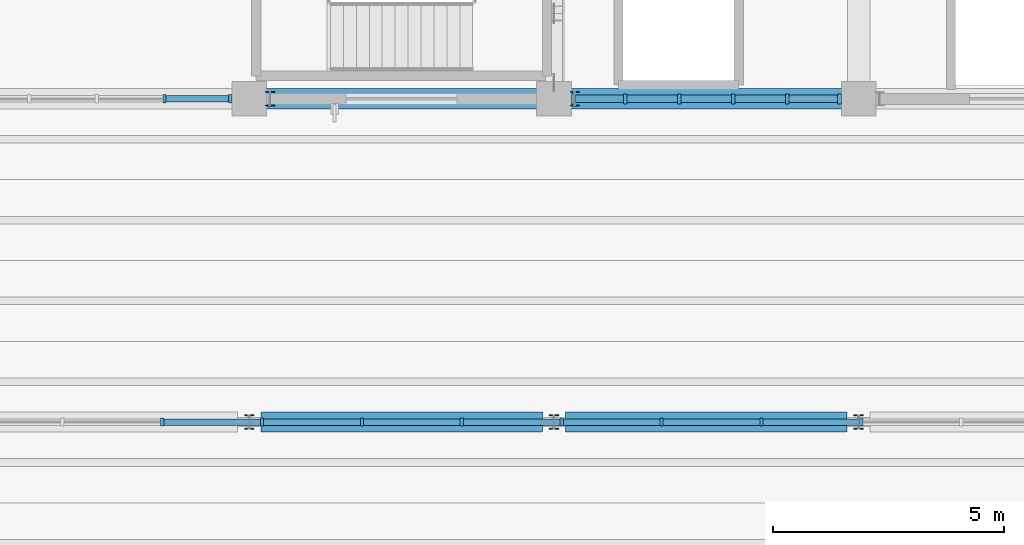
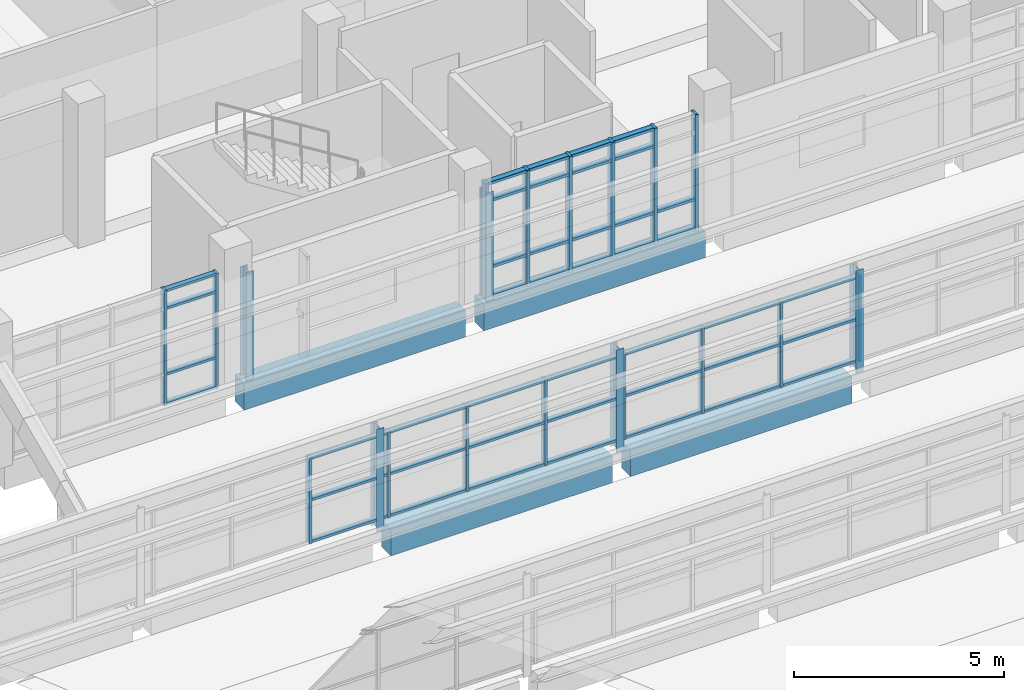
# One storey, part 47 of 92: 64 members, 4 beams, 3 elements without a shape of their own.
"""IFC4 building model written with IfcOpenShell, lengths in metres."""

from ifc_helpers import new_model, si_unit, direction, frame, origin, origin_2d, place, context, subcontext, project, spatial, rectangle, i_section, extrude, material, material_profile, profile_set, type_object, element, aggregate, save


model = new_model("IFC4")

# Units and contexts
model_context = context("Model", 3, precision=1e-05, world=origin(), true_north=direction((0.0, 1.0)))
body_context = subcontext(model_context, "Body", "Model", "MODEL_VIEW")
ifc_project = project(units=[si_unit("LENGTHUNIT", "METRE"), si_unit("AREAUNIT", "SQUARE_METRE"), si_unit("VOLUMEUNIT", "CUBIC_METRE"), si_unit("PLANEANGLEUNIT", "RADIAN"), si_unit("MASSUNIT", "GRAM", prefix="KILO")], contexts=[model_context])

# Site, building, storey
site_placement = place(None, origin())
site = spatial("IfcSite", under=ifc_project, at=site_placement, CompositionType="ELEMENT")
building_placement = place(site_placement, origin())
building = spatial("IfcBuilding", under=site, at=building_placement, Name="Ciguamira Faculty of Natural Sciences", CompositionType="ELEMENT")
storey_placement = place(building_placement, frame((0.0, 0.0, 16.800048828125)))
storey = spatial("IfcBuildingStorey", under=building, at=storey_placement, Name="L04", CompositionType="ELEMENT", Elevation=16.800048828125)

# Curtain wall, members
ifc_material_1 = material(Name="Anodized aluminium curtain wall", Category="aluminium")
curtain_wall_type_1 = type_object("IfcCurtainWallType", Name="CurtainWall_CW-02", PredefinedType="USERDEFINED", material=ifc_material_1)
curtain_wall_1_placement = place(storey_placement, origin())
curtain_wall_1 = element("IfcCurtainWall", 1, at=curtain_wall_1_placement, inside=storey, type_object=curtain_wall_type_1, Name="L04 unitised curtain wall 0122", ObjectType="UNITISED CURTAIN WALL", PredefinedType="USERDEFINED")
ifc_material_2 = material(Name="Anodized aluminium mullion", Category="aluminium")
ifc_material_profile_1 = material_profile(ifc_material_2, rectangle(XDim=0.070068359375, YDim=0.179931640625, at=origin_2d()), Name="ALU-MUL-70X180")
ifc_profile_set_1 = profile_set([ifc_material_profile_1], Name="Anodized aluminium mullion")
member_type_1 = type_object("IfcMemberType", Name="CWMullion_CWM-02", PredefinedType="MULLION", material=ifc_profile_set_1)
member_1_placement = place(storey_placement, frame((68.66259765625, 94.0, 0.0), z_axis=(0.0, 0.0, 1.0), x_axis=(1.0, 0.0, 0.0)))
member_1 = element("IfcMember", 2, at=member_1_placement, type_object=member_type_1, Name="CW-02 mullion 4", PredefinedType="MULLION", context=body_context, shape_type="SweptSolid", body=[
    extrude(rectangle(XDim=0.070068359375, YDim=0.179931640625, at=origin_2d()), origin(), (0.0, 0.0, 1.0), 3.364990234375),
])
member_2_placement = place(storey_placement, frame((70.090087890625, 94.0, 0.0), z_axis=(0.0, 0.0, 1.0), x_axis=(1.0, 0.0, 0.0)))
member_2 = element("IfcMember", 3, at=member_2_placement, type_object=member_type_1, Name="CW-02 mullion 5", PredefinedType="MULLION", context=body_context, shape_type="SweptSolid", body=[
    extrude(rectangle(XDim=0.070068359375, YDim=0.179931640625, at=origin_2d()), origin(), (0.0, 0.0, 1.0), 3.364990234375),
])

curtain_wall_type_2 = type_object("IfcCurtainWallType", Name="CurtainWall_CW-08", PredefinedType="USERDEFINED", material=ifc_material_1)
curtain_wall_2_placement = place(storey_placement, origin())
curtain_wall_2 = element("IfcCurtainWall", 4, at=curtain_wall_2_placement, inside=storey, type_object=curtain_wall_type_2, Name="V4 north-light wave 6 clerestory glazing 1", ObjectType="UNITISED CURTAIN WALL", PredefinedType="USERDEFINED")
member_3_placement = place(storey_placement, frame((68.61474609375, 87.0, 0.25), z_axis=(0.0, 0.0, 1.0), x_axis=(1.0, 0.0, 0.0)))
member_3 = element("IfcMember", 5, at=member_3_placement, type_object=member_type_1, Name="CW-08 mullion 6", PredefinedType="MULLION", context=body_context, shape_type="SweptSolid", body=[
    extrude(rectangle(XDim=0.070068359375, YDim=0.179931640625, at=origin_2d()), origin(), (0.0, 0.0, 1.0), 2.5),
])
member_4_placement = place(storey_placement, frame((70.77783203125, 87.0, 0.25), z_axis=(0.0, 0.0, 1.0), x_axis=(1.0, 0.0, 0.0)))
member_4 = element("IfcMember", 6, at=member_4_placement, type_object=member_type_1, Name="CW-08 mullion 7", PredefinedType="MULLION", context=body_context, shape_type="SweptSolid", body=[
    extrude(rectangle(XDim=0.070068359375, YDim=0.179931640625, at=origin_2d()), origin(), (0.0, 0.0, 1.0), 2.5),
])
member_5_placement = place(storey_placement, frame((72.940673828125, 87.0, 0.25), z_axis=(0.0, 0.0, 1.0), x_axis=(1.0, 0.0, 0.0)))
member_5 = element("IfcMember", 7, at=member_5_placement, type_object=member_type_1, Name="CW-08 mullion 8", PredefinedType="MULLION", context=body_context, shape_type="SweptSolid", body=[
    extrude(rectangle(XDim=0.070068359375, YDim=0.179931640625, at=origin_2d()), origin(), (0.0, 0.0, 1.0), 2.5),
])
member_6_placement = place(storey_placement, frame((75.103759765625, 87.0, 0.25), z_axis=(0.0, 0.0, 1.0), x_axis=(1.0, 0.0, 0.0)))
member_6 = element("IfcMember", 8, at=member_6_placement, type_object=member_type_1, Name="CW-08 mullion 9", PredefinedType="MULLION", context=body_context, shape_type="SweptSolid", body=[
    extrude(rectangle(XDim=0.070068359375, YDim=0.179931640625, at=origin_2d()), origin(), (0.0, 0.0, 1.0), 2.5),
])
member_7_placement = place(storey_placement, frame((77.2666015625, 87.0, 0.25), z_axis=(0.0, 0.0, 1.0), x_axis=(1.0, 0.0, 0.0)))
member_7 = element("IfcMember", 9, at=member_7_placement, type_object=member_type_1, Name="CW-08 mullion 10", PredefinedType="MULLION", context=body_context, shape_type="SweptSolid", body=[
    extrude(rectangle(XDim=0.070068359375, YDim=0.179931640625, at=origin_2d()), origin(), (0.0, 0.0, 1.0), 2.5),
])
member_8_placement = place(storey_placement, frame((79.4296875, 87.0, 0.25), z_axis=(0.0, 0.0, 1.0), x_axis=(1.0, 0.0, 0.0)))
member_8 = element("IfcMember", 10, at=member_8_placement, type_object=member_type_1, Name="CW-08 mullion 11", PredefinedType="MULLION", context=body_context, shape_type="SweptSolid", body=[
    extrude(rectangle(XDim=0.070068359375, YDim=0.179931640625, at=origin_2d()), origin(), (0.0, 0.0, 1.0), 2.5),
])
member_9_placement = place(storey_placement, frame((81.592529296875, 87.0, 0.25), z_axis=(0.0, 0.0, 1.0), x_axis=(1.0, 0.0, 0.0)))
member_9 = element("IfcMember", 11, at=member_9_placement, type_object=member_type_1, Name="CW-08 mullion 12", PredefinedType="MULLION", context=body_context, shape_type="SweptSolid", body=[
    extrude(rectangle(XDim=0.070068359375, YDim=0.179931640625, at=origin_2d()), origin(), (0.0, 0.0, 1.0), 2.5),
])
member_10_placement = place(storey_placement, frame((83.755615234375, 87.0, 0.25), z_axis=(0.0, 0.0, 1.0), x_axis=(1.0, 0.0, 0.0)))
member_10 = element("IfcMember", 12, at=member_10_placement, type_object=member_type_1, Name="CW-08 mullion 13", PredefinedType="MULLION", context=body_context, shape_type="SweptSolid", body=[
    extrude(rectangle(XDim=0.070068359375, YDim=0.179931640625, at=origin_2d()), origin(), (0.0, 0.0, 1.0), 2.5),
])

curtain_wall_type_3 = type_object("IfcCurtainWallType", Name="CurtainWall_CW-03", PredefinedType="USERDEFINED", material=ifc_material_1)
curtain_wall_3_placement = place(storey_placement, origin())
curtain_wall_3 = element("IfcCurtainWall", 13, at=curtain_wall_3_placement, inside=storey, type_object=curtain_wall_type_3, Name="L04 unitised curtain wall 0123", ObjectType="UNITISED CURTAIN WALL", PredefinedType="USERDEFINED")
ifc_material_profile_2 = material_profile(ifc_material_2, rectangle(XDim=0.080078125, YDim=0.219970703125, at=origin_2d()), Name="ALU-MUL-80X220")
ifc_profile_set_2 = profile_set([ifc_material_profile_2], Name="Anodized aluminium mullion")
member_type_2 = type_object("IfcMemberType", Name="CWMullion_CWM-03", PredefinedType="MULLION", material=ifc_profile_set_2)
member_11_placement = place(storey_placement, frame((77.514892578125, 94.0, 0.0), z_axis=(0.0, 0.0, 1.0), x_axis=(1.0, 0.0, 0.0)))
member_11 = element("IfcMember", 14, at=member_11_placement, type_object=member_type_2, Name="CW-03 mullion 1", PredefinedType="MULLION", context=body_context, shape_type="SweptSolid", body=[
    extrude(rectangle(XDim=0.080078125, YDim=0.219970703125, at=origin_2d()), origin(), (0.0, 0.0, 1.0), 3.385009765625),
])
member_12_placement = place(storey_placement, frame((78.64501953125, 94.0, 0.0), z_axis=(0.0, 0.0, 1.0), x_axis=(1.0, 0.0, 0.0)))
member_12 = element("IfcMember", 15, at=member_12_placement, type_object=member_type_2, Name="CW-03 mullion 2", PredefinedType="MULLION", context=body_context, shape_type="SweptSolid", body=[
    extrude(rectangle(XDim=0.080078125, YDim=0.219970703125, at=origin_2d()), origin(), (0.0, 0.0, 1.0), 3.385009765625),
])
member_13_placement = place(storey_placement, frame((79.81494140625, 94.0, 0.0), z_axis=(0.0, 0.0, 1.0), x_axis=(1.0, 0.0, 0.0)))
member_13 = element("IfcMember", 16, at=member_13_placement, type_object=member_type_2, Name="CW-03 mullion 3", PredefinedType="MULLION", context=body_context, shape_type="SweptSolid", body=[
    extrude(rectangle(XDim=0.080078125, YDim=0.219970703125, at=origin_2d()), origin(), (0.0, 0.0, 1.0), 3.385009765625),
])
member_14_placement = place(storey_placement, frame((80.985107421875, 94.0, 0.0), z_axis=(0.0, 0.0, 1.0), x_axis=(1.0, 0.0, 0.0)))
member_14 = element("IfcMember", 17, at=member_14_placement, type_object=member_type_2, Name="CW-03 mullion 4", PredefinedType="MULLION", context=body_context, shape_type="SweptSolid", body=[
    extrude(rectangle(XDim=0.080078125, YDim=0.219970703125, at=origin_2d()), origin(), (0.0, 0.0, 1.0), 3.385009765625),
])
member_15_placement = place(storey_placement, frame((82.155029296875, 94.0, 0.0), z_axis=(0.0, 0.0, 1.0), x_axis=(1.0, 0.0, 0.0)))
member_15 = element("IfcMember", 18, at=member_15_placement, type_object=member_type_2, Name="CW-03 mullion 5", PredefinedType="MULLION", context=body_context, shape_type="SweptSolid", body=[
    extrude(rectangle(XDim=0.080078125, YDim=0.219970703125, at=origin_2d()), origin(), (0.0, 0.0, 1.0), 3.385009765625),
])
member_16_placement = place(storey_placement, frame((83.284912109375, 94.0, 0.0), z_axis=(0.0, 0.0, 1.0), x_axis=(1.0, 0.0, 0.0)))
member_16 = element("IfcMember", 19, at=member_16_placement, type_object=member_type_2, Name="CW-03 mullion 6", PredefinedType="MULLION", context=body_context, shape_type="SweptSolid", body=[
    extrude(rectangle(XDim=0.080078125, YDim=0.219970703125, at=origin_2d()), origin(), (0.0, 0.0, 1.0), 3.385009765625),
])

# Member
ifc_material_3 = material(Name="Anodized aluminium transom", Category="aluminium")
ifc_material_profile_3 = material_profile(ifc_material_3, rectangle(XDim=0.070068359375, YDim=0.139892578125, at=origin_2d()), Name="ALU-TRN-70X140")
ifc_profile_set_3 = profile_set([ifc_material_profile_3], Name="Anodized aluminium transom")
member_type_3 = type_object("IfcMemberType", Name="CWTransom_CWT-02", PredefinedType="USERDEFINED", material=ifc_profile_set_3)
member_17_placement = place(storey_placement, frame((68.697509765625, 94.0, 0.034912109375), z_axis=(1.0, 0.0, 0.0), x_axis=(0.0, 0.0, 1.0)))
member_17 = element("IfcMember", 20, at=member_17_placement, type_object=member_type_3, Name="CW-02 transom 4.1", ObjectType="TRANSOM", PredefinedType="USERDEFINED", context=body_context, shape_type="SweptSolid", body=[
    extrude(rectangle(XDim=0.070068359375, YDim=0.139892578125, at=origin_2d()), origin(), (0.0, 0.0, 1.0), 1.357421875),
])

member_18_placement = place(storey_placement, frame((68.697509765625, 94.0, 0.89990234375), z_axis=(1.0, 0.0, 0.0), x_axis=(0.0, 0.0, 1.0)))
member_18 = element("IfcMember", 21, at=member_18_placement, type_object=member_type_3, Name="CW-02 transom 4.2", ObjectType="TRANSOM", PredefinedType="USERDEFINED", context=body_context, shape_type="SweptSolid", body=[
    extrude(rectangle(XDim=0.070068359375, YDim=0.139892578125, at=origin_2d()), origin(), (0.0, 0.0, 1.0), 1.357421875),
])

member_19_placement = place(storey_placement, frame((68.697509765625, 94.0, 2.81494140625), z_axis=(1.0, 0.0, 0.0), x_axis=(0.0, 0.0, 1.0)))
member_19 = element("IfcMember", 22, at=member_19_placement, type_object=member_type_3, Name="CW-02 transom 4.3", ObjectType="TRANSOM", PredefinedType="USERDEFINED", context=body_context, shape_type="SweptSolid", body=[
    extrude(rectangle(XDim=0.070068359375, YDim=0.139892578125, at=origin_2d()), origin(), (0.0, 0.0, 1.0), 1.357421875),
])

member_20_placement = place(storey_placement, frame((68.697509765625, 94.0, 3.329833984375), z_axis=(1.0, 0.0, 0.0), x_axis=(0.0, 0.0, 1.0)))
member_20 = element("IfcMember", 23, at=member_20_placement, type_object=member_type_3, Name="CW-02 transom 4.4", ObjectType="TRANSOM", PredefinedType="USERDEFINED", context=body_context, shape_type="SweptSolid", body=[
    extrude(rectangle(XDim=0.070068359375, YDim=0.139892578125, at=origin_2d()), origin(), (0.0, 0.0, 1.0), 1.357421875),
])

aggregate(curtain_wall_1, [member_1, member_2, member_17, member_18, member_19, member_20])

member_21_placement = place(storey_placement, frame((68.64990234375, 87.0, 0.284912109375), z_axis=(1.0, 0.0, 0.0), x_axis=(0.0, 0.0, 1.0)))
member_21 = element("IfcMember", 24, at=member_21_placement, type_object=member_type_3, Name="CW-08 transom 6.1", ObjectType="TRANSOM", PredefinedType="USERDEFINED", context=body_context, shape_type="SweptSolid", body=[
    extrude(rectangle(XDim=0.070068359375, YDim=0.139892578125, at=origin_2d()), origin(), (0.0, 0.0, 1.0), 2.0927734375),
])

member_22_placement = place(storey_placement, frame((68.64990234375, 87.0, 1.5), z_axis=(1.0, 0.0, 0.0), x_axis=(0.0, 0.0, 1.0)))
member_22 = element("IfcMember", 25, at=member_22_placement, type_object=member_type_3, Name="CW-08 transom 6.2", ObjectType="TRANSOM", PredefinedType="USERDEFINED", context=body_context, shape_type="SweptSolid", body=[
    extrude(rectangle(XDim=0.070068359375, YDim=0.139892578125, at=origin_2d()), origin(), (0.0, 0.0, 1.0), 2.0927734375),
])

member_23_placement = place(storey_placement, frame((68.64990234375, 87.0, 2.71484375), z_axis=(1.0, 0.0, 0.0), x_axis=(0.0, 0.0, 1.0)))
member_23 = element("IfcMember", 26, at=member_23_placement, type_object=member_type_3, Name="CW-08 transom 6.3", ObjectType="TRANSOM", PredefinedType="USERDEFINED", context=body_context, shape_type="SweptSolid", body=[
    extrude(rectangle(XDim=0.070068359375, YDim=0.139892578125, at=origin_2d()), origin(), (0.0, 0.0, 1.0), 2.0927734375),
])

member_24_placement = place(storey_placement, frame((70.812744140625, 87.0, 0.284912109375), z_axis=(1.0, 0.0, 0.0), x_axis=(0.0, 0.0, 1.0)))
member_24 = element("IfcMember", 27, at=member_24_placement, type_object=member_type_3, Name="CW-08 transom 7.1", ObjectType="TRANSOM", PredefinedType="USERDEFINED", context=body_context, shape_type="SweptSolid", body=[
    extrude(rectangle(XDim=0.070068359375, YDim=0.139892578125, at=origin_2d()), origin(), (0.0, 0.0, 1.0), 2.093017578125),
])

member_25_placement = place(storey_placement, frame((70.812744140625, 87.0, 1.5), z_axis=(1.0, 0.0, 0.0), x_axis=(0.0, 0.0, 1.0)))
member_25 = element("IfcMember", 28, at=member_25_placement, type_object=member_type_3, Name="CW-08 transom 7.2", ObjectType="TRANSOM", PredefinedType="USERDEFINED", context=body_context, shape_type="SweptSolid", body=[
    extrude(rectangle(XDim=0.070068359375, YDim=0.139892578125, at=origin_2d()), origin(), (0.0, 0.0, 1.0), 2.093017578125),
])

member_26_placement = place(storey_placement, frame((70.812744140625, 87.0, 2.71484375), z_axis=(1.0, 0.0, 0.0), x_axis=(0.0, 0.0, 1.0)))
member_26 = element("IfcMember", 29, at=member_26_placement, type_object=member_type_3, Name="CW-08 transom 7.3", ObjectType="TRANSOM", PredefinedType="USERDEFINED", context=body_context, shape_type="SweptSolid", body=[
    extrude(rectangle(XDim=0.070068359375, YDim=0.139892578125, at=origin_2d()), origin(), (0.0, 0.0, 1.0), 2.093017578125),
])

member_27_placement = place(storey_placement, frame((72.975830078125, 87.0, 0.284912109375), z_axis=(1.0, 0.0, 0.0), x_axis=(0.0, 0.0, 1.0)))
member_27 = element("IfcMember", 30, at=member_27_placement, type_object=member_type_3, Name="CW-08 transom 8.1", ObjectType="TRANSOM", PredefinedType="USERDEFINED", context=body_context, shape_type="SweptSolid", body=[
    extrude(rectangle(XDim=0.070068359375, YDim=0.139892578125, at=origin_2d()), origin(), (0.0, 0.0, 1.0), 2.0927734375),
])

member_28_placement = place(storey_placement, frame((72.975830078125, 87.0, 1.5), z_axis=(1.0, 0.0, 0.0), x_axis=(0.0, 0.0, 1.0)))
member_28 = element("IfcMember", 31, at=member_28_placement, type_object=member_type_3, Name="CW-08 transom 8.2", ObjectType="TRANSOM", PredefinedType="USERDEFINED", context=body_context, shape_type="SweptSolid", body=[
    extrude(rectangle(XDim=0.070068359375, YDim=0.139892578125, at=origin_2d()), origin(), (0.0, 0.0, 1.0), 2.0927734375),
])

member_29_placement = place(storey_placement, frame((72.975830078125, 87.0, 2.71484375), z_axis=(1.0, 0.0, 0.0), x_axis=(0.0, 0.0, 1.0)))
member_29 = element("IfcMember", 32, at=member_29_placement, type_object=member_type_3, Name="CW-08 transom 8.3", ObjectType="TRANSOM", PredefinedType="USERDEFINED", context=body_context, shape_type="SweptSolid", body=[
    extrude(rectangle(XDim=0.070068359375, YDim=0.139892578125, at=origin_2d()), origin(), (0.0, 0.0, 1.0), 2.0927734375),
])

member_30_placement = place(storey_placement, frame((75.138671875, 87.0, 0.284912109375), z_axis=(1.0, 0.0, 0.0), x_axis=(0.0, 0.0, 1.0)))
member_30 = element("IfcMember", 33, at=member_30_placement, type_object=member_type_3, Name="CW-08 transom 9.1", ObjectType="TRANSOM", PredefinedType="USERDEFINED", context=body_context, shape_type="SweptSolid", body=[
    extrude(rectangle(XDim=0.070068359375, YDim=0.139892578125, at=origin_2d()), origin(), (0.0, 0.0, 1.0), 2.093017578125),
])

member_31_placement = place(storey_placement, frame((75.138671875, 87.0, 1.5), z_axis=(1.0, 0.0, 0.0), x_axis=(0.0, 0.0, 1.0)))
member_31 = element("IfcMember", 34, at=member_31_placement, type_object=member_type_3, Name="CW-08 transom 9.2", ObjectType="TRANSOM", PredefinedType="USERDEFINED", context=body_context, shape_type="SweptSolid", body=[
    extrude(rectangle(XDim=0.070068359375, YDim=0.139892578125, at=origin_2d()), origin(), (0.0, 0.0, 1.0), 2.093017578125),
])

member_32_placement = place(storey_placement, frame((75.138671875, 87.0, 2.71484375), z_axis=(1.0, 0.0, 0.0), x_axis=(0.0, 0.0, 1.0)))
member_32 = element("IfcMember", 35, at=member_32_placement, type_object=member_type_3, Name="CW-08 transom 9.3", ObjectType="TRANSOM", PredefinedType="USERDEFINED", context=body_context, shape_type="SweptSolid", body=[
    extrude(rectangle(XDim=0.070068359375, YDim=0.139892578125, at=origin_2d()), origin(), (0.0, 0.0, 1.0), 2.093017578125),
])

member_33_placement = place(storey_placement, frame((77.3017578125, 87.0, 0.284912109375), z_axis=(1.0, 0.0, 0.0), x_axis=(0.0, 0.0, 1.0)))
member_33 = element("IfcMember", 36, at=member_33_placement, type_object=member_type_3, Name="CW-08 transom 10.1", ObjectType="TRANSOM", PredefinedType="USERDEFINED", context=body_context, shape_type="SweptSolid", body=[
    extrude(rectangle(XDim=0.070068359375, YDim=0.139892578125, at=origin_2d()), origin(), (0.0, 0.0, 1.0), 2.0927734375),
])

member_34_placement = place(storey_placement, frame((77.3017578125, 87.0, 1.5), z_axis=(1.0, 0.0, 0.0), x_axis=(0.0, 0.0, 1.0)))
member_34 = element("IfcMember", 37, at=member_34_placement, type_object=member_type_3, Name="CW-08 transom 10.2", ObjectType="TRANSOM", PredefinedType="USERDEFINED", context=body_context, shape_type="SweptSolid", body=[
    extrude(rectangle(XDim=0.070068359375, YDim=0.139892578125, at=origin_2d()), origin(), (0.0, 0.0, 1.0), 2.0927734375),
])

member_35_placement = place(storey_placement, frame((77.3017578125, 87.0, 2.71484375), z_axis=(1.0, 0.0, 0.0), x_axis=(0.0, 0.0, 1.0)))
member_35 = element("IfcMember", 38, at=member_35_placement, type_object=member_type_3, Name="CW-08 transom 10.3", ObjectType="TRANSOM", PredefinedType="USERDEFINED", context=body_context, shape_type="SweptSolid", body=[
    extrude(rectangle(XDim=0.070068359375, YDim=0.139892578125, at=origin_2d()), origin(), (0.0, 0.0, 1.0), 2.0927734375),
])

member_36_placement = place(storey_placement, frame((79.464599609375, 87.0, 0.284912109375), z_axis=(1.0, 0.0, 0.0), x_axis=(0.0, 0.0, 1.0)))
member_36 = element("IfcMember", 39, at=member_36_placement, type_object=member_type_3, Name="CW-08 transom 11.1", ObjectType="TRANSOM", PredefinedType="USERDEFINED", context=body_context, shape_type="SweptSolid", body=[
    extrude(rectangle(XDim=0.070068359375, YDim=0.139892578125, at=origin_2d()), origin(), (0.0, 0.0, 1.0), 2.093017578125),
])

member_37_placement = place(storey_placement, frame((79.464599609375, 87.0, 1.5), z_axis=(1.0, 0.0, 0.0), x_axis=(0.0, 0.0, 1.0)))
member_37 = element("IfcMember", 40, at=member_37_placement, type_object=member_type_3, Name="CW-08 transom 11.2", ObjectType="TRANSOM", PredefinedType="USERDEFINED", context=body_context, shape_type="SweptSolid", body=[
    extrude(rectangle(XDim=0.070068359375, YDim=0.139892578125, at=origin_2d()), origin(), (0.0, 0.0, 1.0), 2.093017578125),
])

member_38_placement = place(storey_placement, frame((79.464599609375, 87.0, 2.71484375), z_axis=(1.0, 0.0, 0.0), x_axis=(0.0, 0.0, 1.0)))
member_38 = element("IfcMember", 41, at=member_38_placement, type_object=member_type_3, Name="CW-08 transom 11.3", ObjectType="TRANSOM", PredefinedType="USERDEFINED", context=body_context, shape_type="SweptSolid", body=[
    extrude(rectangle(XDim=0.070068359375, YDim=0.139892578125, at=origin_2d()), origin(), (0.0, 0.0, 1.0), 2.093017578125),
])

member_39_placement = place(storey_placement, frame((81.627685546875, 87.0, 0.284912109375), z_axis=(1.0, 0.0, 0.0), x_axis=(0.0, 0.0, 1.0)))
member_39 = element("IfcMember", 42, at=member_39_placement, type_object=member_type_3, Name="CW-08 transom 12.1", ObjectType="TRANSOM", PredefinedType="USERDEFINED", context=body_context, shape_type="SweptSolid", body=[
    extrude(rectangle(XDim=0.070068359375, YDim=0.139892578125, at=origin_2d()), origin(), (0.0, 0.0, 1.0), 2.0927734375),
])

member_40_placement = place(storey_placement, frame((81.627685546875, 87.0, 1.5), z_axis=(1.0, 0.0, 0.0), x_axis=(0.0, 0.0, 1.0)))
member_40 = element("IfcMember", 43, at=member_40_placement, type_object=member_type_3, Name="CW-08 transom 12.2", ObjectType="TRANSOM", PredefinedType="USERDEFINED", context=body_context, shape_type="SweptSolid", body=[
    extrude(rectangle(XDim=0.070068359375, YDim=0.139892578125, at=origin_2d()), origin(), (0.0, 0.0, 1.0), 2.0927734375),
])

member_41_placement = place(storey_placement, frame((81.627685546875, 87.0, 2.71484375), z_axis=(1.0, 0.0, 0.0), x_axis=(0.0, 0.0, 1.0)))
member_41 = element("IfcMember", 44, at=member_41_placement, type_object=member_type_3, Name="CW-08 transom 12.3", ObjectType="TRANSOM", PredefinedType="USERDEFINED", context=body_context, shape_type="SweptSolid", body=[
    extrude(rectangle(XDim=0.070068359375, YDim=0.139892578125, at=origin_2d()), origin(), (0.0, 0.0, 1.0), 2.0927734375),
])

aggregate(curtain_wall_2, [member_3, member_4, member_5, member_6, member_7, member_8, member_9, member_10, member_21, member_22, member_23, member_24, member_25, member_26, member_27, member_28, member_29, member_30, member_31, member_32, member_33, member_34, member_35, member_36, member_37, member_38, member_39, member_40, member_41])

ifc_material_profile_4 = material_profile(ifc_material_3, rectangle(XDim=0.080078125, YDim=0.159912109375, at=origin_2d()), Name="ALU-TRN-80X160")
ifc_profile_set_4 = profile_set([ifc_material_profile_4], Name="Anodized aluminium transom")
member_type_4 = type_object("IfcMemberType", Name="CWTransom_CWT-03", PredefinedType="USERDEFINED", material=ifc_profile_set_4)
member_42_placement = place(storey_placement, frame((77.554931640625, 94.0, 0.0400390625), z_axis=(1.0, 0.0, 0.0), x_axis=(0.0, 0.0, 1.0)))
member_42 = element("IfcMember", 45, at=member_42_placement, type_object=member_type_4, Name="CW-03 transom 1.1", ObjectType="TRANSOM", PredefinedType="USERDEFINED", context=body_context, shape_type="SweptSolid", body=[
    extrude(rectangle(XDim=0.080078125, YDim=0.159912109375, at=origin_2d()), origin(), (0.0, 0.0, 1.0), 1.050048828125),
])

member_43_placement = place(storey_placement, frame((77.554931640625, 94.0, 0.89990234375), z_axis=(1.0, 0.0, 0.0), x_axis=(0.0, 0.0, 1.0)))
member_43 = element("IfcMember", 46, at=member_43_placement, type_object=member_type_4, Name="CW-03 transom 1.2", ObjectType="TRANSOM", PredefinedType="USERDEFINED", context=body_context, shape_type="SweptSolid", body=[
    extrude(rectangle(XDim=0.080078125, YDim=0.159912109375, at=origin_2d()), origin(), (0.0, 0.0, 1.0), 1.050048828125),
])

member_44_placement = place(storey_placement, frame((77.554931640625, 94.0, 2.8349609375), z_axis=(1.0, 0.0, 0.0), x_axis=(0.0, 0.0, 1.0)))
member_44 = element("IfcMember", 47, at=member_44_placement, type_object=member_type_4, Name="CW-03 transom 1.3", ObjectType="TRANSOM", PredefinedType="USERDEFINED", context=body_context, shape_type="SweptSolid", body=[
    extrude(rectangle(XDim=0.080078125, YDim=0.159912109375, at=origin_2d()), origin(), (0.0, 0.0, 1.0), 1.050048828125),
])

member_45_placement = place(storey_placement, frame((77.554931640625, 94.0, 3.344970703125), z_axis=(1.0, 0.0, 0.0), x_axis=(0.0, 0.0, 1.0)))
member_45 = element("IfcMember", 48, at=member_45_placement, type_object=member_type_4, Name="CW-03 transom 1.4", ObjectType="TRANSOM", PredefinedType="USERDEFINED", context=body_context, shape_type="SweptSolid", body=[
    extrude(rectangle(XDim=0.080078125, YDim=0.159912109375, at=origin_2d()), origin(), (0.0, 0.0, 1.0), 1.050048828125),
])

member_46_placement = place(storey_placement, frame((78.68505859375, 94.0, 0.0400390625), z_axis=(1.0, 0.0, 0.0), x_axis=(0.0, 0.0, 1.0)))
member_46 = element("IfcMember", 49, at=member_46_placement, type_object=member_type_4, Name="CW-03 transom 2.1", ObjectType="TRANSOM", PredefinedType="USERDEFINED", context=body_context, shape_type="SweptSolid", body=[
    extrude(rectangle(XDim=0.080078125, YDim=0.159912109375, at=origin_2d()), origin(), (0.0, 0.0, 1.0), 1.08984375),
])

member_47_placement = place(storey_placement, frame((78.68505859375, 94.0, 0.89990234375), z_axis=(1.0, 0.0, 0.0), x_axis=(0.0, 0.0, 1.0)))
member_47 = element("IfcMember", 50, at=member_47_placement, type_object=member_type_4, Name="CW-03 transom 2.2", ObjectType="TRANSOM", PredefinedType="USERDEFINED", context=body_context, shape_type="SweptSolid", body=[
    extrude(rectangle(XDim=0.080078125, YDim=0.159912109375, at=origin_2d()), origin(), (0.0, 0.0, 1.0), 1.08984375),
])

member_48_placement = place(storey_placement, frame((78.68505859375, 94.0, 2.8349609375), z_axis=(1.0, 0.0, 0.0), x_axis=(0.0, 0.0, 1.0)))
member_48 = element("IfcMember", 51, at=member_48_placement, type_object=member_type_4, Name="CW-03 transom 2.3", ObjectType="TRANSOM", PredefinedType="USERDEFINED", context=body_context, shape_type="SweptSolid", body=[
    extrude(rectangle(XDim=0.080078125, YDim=0.159912109375, at=origin_2d()), origin(), (0.0, 0.0, 1.0), 1.08984375),
])

member_49_placement = place(storey_placement, frame((78.68505859375, 94.0, 3.344970703125), z_axis=(1.0, 0.0, 0.0), x_axis=(0.0, 0.0, 1.0)))
member_49 = element("IfcMember", 52, at=member_49_placement, type_object=member_type_4, Name="CW-03 transom 2.4", ObjectType="TRANSOM", PredefinedType="USERDEFINED", context=body_context, shape_type="SweptSolid", body=[
    extrude(rectangle(XDim=0.080078125, YDim=0.159912109375, at=origin_2d()), origin(), (0.0, 0.0, 1.0), 1.08984375),
])

member_50_placement = place(storey_placement, frame((79.85498046875, 94.0, 0.0400390625), z_axis=(1.0, 0.0, 0.0), x_axis=(0.0, 0.0, 1.0)))
member_50 = element("IfcMember", 53, at=member_50_placement, type_object=member_type_4, Name="CW-03 transom 3.1", ObjectType="TRANSOM", PredefinedType="USERDEFINED", context=body_context, shape_type="SweptSolid", body=[
    extrude(rectangle(XDim=0.080078125, YDim=0.159912109375, at=origin_2d()), origin(), (0.0, 0.0, 1.0), 1.090087890625),
])

member_51_placement = place(storey_placement, frame((79.85498046875, 94.0, 0.89990234375), z_axis=(1.0, 0.0, 0.0), x_axis=(0.0, 0.0, 1.0)))
member_51 = element("IfcMember", 54, at=member_51_placement, type_object=member_type_4, Name="CW-03 transom 3.2", ObjectType="TRANSOM", PredefinedType="USERDEFINED", context=body_context, shape_type="SweptSolid", body=[
    extrude(rectangle(XDim=0.080078125, YDim=0.159912109375, at=origin_2d()), origin(), (0.0, 0.0, 1.0), 1.090087890625),
])

member_52_placement = place(storey_placement, frame((79.85498046875, 94.0, 2.8349609375), z_axis=(1.0, 0.0, 0.0), x_axis=(0.0, 0.0, 1.0)))
member_52 = element("IfcMember", 55, at=member_52_placement, type_object=member_type_4, Name="CW-03 transom 3.3", ObjectType="TRANSOM", PredefinedType="USERDEFINED", context=body_context, shape_type="SweptSolid", body=[
    extrude(rectangle(XDim=0.080078125, YDim=0.159912109375, at=origin_2d()), origin(), (0.0, 0.0, 1.0), 1.090087890625),
])

member_53_placement = place(storey_placement, frame((79.85498046875, 94.0, 3.344970703125), z_axis=(1.0, 0.0, 0.0), x_axis=(0.0, 0.0, 1.0)))
member_53 = element("IfcMember", 56, at=member_53_placement, type_object=member_type_4, Name="CW-03 transom 3.4", ObjectType="TRANSOM", PredefinedType="USERDEFINED", context=body_context, shape_type="SweptSolid", body=[
    extrude(rectangle(XDim=0.080078125, YDim=0.159912109375, at=origin_2d()), origin(), (0.0, 0.0, 1.0), 1.090087890625),
])

member_54_placement = place(storey_placement, frame((81.02490234375, 94.0, 0.0400390625), z_axis=(1.0, 0.0, 0.0), x_axis=(0.0, 0.0, 1.0)))
member_54 = element("IfcMember", 57, at=member_54_placement, type_object=member_type_4, Name="CW-03 transom 4.1", ObjectType="TRANSOM", PredefinedType="USERDEFINED", context=body_context, shape_type="SweptSolid", body=[
    extrude(rectangle(XDim=0.080078125, YDim=0.159912109375, at=origin_2d()), origin(), (0.0, 0.0, 1.0), 1.090087890625),
])

member_55_placement = place(storey_placement, frame((81.02490234375, 94.0, 0.89990234375), z_axis=(1.0, 0.0, 0.0), x_axis=(0.0, 0.0, 1.0)))
member_55 = element("IfcMember", 58, at=member_55_placement, type_object=member_type_4, Name="CW-03 transom 4.2", ObjectType="TRANSOM", PredefinedType="USERDEFINED", context=body_context, shape_type="SweptSolid", body=[
    extrude(rectangle(XDim=0.080078125, YDim=0.159912109375, at=origin_2d()), origin(), (0.0, 0.0, 1.0), 1.090087890625),
])

member_56_placement = place(storey_placement, frame((81.02490234375, 94.0, 2.8349609375), z_axis=(1.0, 0.0, 0.0), x_axis=(0.0, 0.0, 1.0)))
member_56 = element("IfcMember", 59, at=member_56_placement, type_object=member_type_4, Name="CW-03 transom 4.3", ObjectType="TRANSOM", PredefinedType="USERDEFINED", context=body_context, shape_type="SweptSolid", body=[
    extrude(rectangle(XDim=0.080078125, YDim=0.159912109375, at=origin_2d()), origin(), (0.0, 0.0, 1.0), 1.090087890625),
])

member_57_placement = place(storey_placement, frame((81.02490234375, 94.0, 3.344970703125), z_axis=(1.0, 0.0, 0.0), x_axis=(0.0, 0.0, 1.0)))
member_57 = element("IfcMember", 60, at=member_57_placement, type_object=member_type_4, Name="CW-03 transom 4.4", ObjectType="TRANSOM", PredefinedType="USERDEFINED", context=body_context, shape_type="SweptSolid", body=[
    extrude(rectangle(XDim=0.080078125, YDim=0.159912109375, at=origin_2d()), origin(), (0.0, 0.0, 1.0), 1.090087890625),
])

member_58_placement = place(storey_placement, frame((82.195068359375, 94.0, 0.0400390625), z_axis=(1.0, 0.0, 0.0), x_axis=(0.0, 0.0, 1.0)))
member_58 = element("IfcMember", 61, at=member_58_placement, type_object=member_type_4, Name="CW-03 transom 5.1", ObjectType="TRANSOM", PredefinedType="USERDEFINED", context=body_context, shape_type="SweptSolid", body=[
    extrude(rectangle(XDim=0.080078125, YDim=0.159912109375, at=origin_2d()), origin(), (0.0, 0.0, 1.0), 1.050048828125),
])

member_59_placement = place(storey_placement, frame((82.195068359375, 94.0, 0.89990234375), z_axis=(1.0, 0.0, 0.0), x_axis=(0.0, 0.0, 1.0)))
member_59 = element("IfcMember", 62, at=member_59_placement, type_object=member_type_4, Name="CW-03 transom 5.2", ObjectType="TRANSOM", PredefinedType="USERDEFINED", context=body_context, shape_type="SweptSolid", body=[
    extrude(rectangle(XDim=0.080078125, YDim=0.159912109375, at=origin_2d()), origin(), (0.0, 0.0, 1.0), 1.050048828125),
])

aggregate(curtain_wall_3, [member_11, member_12, member_13, member_14, member_15, member_16, member_42, member_43, member_44, member_45, member_46, member_47, member_48, member_49, member_50, member_51, member_52, member_53, member_54, member_55, member_56, member_57, member_58, member_59])

# Beams
ifc_material_4 = material(Name="Concrete C40/50", Category="concrete")
ifc_material_profile_5 = material_profile(ifc_material_4, rectangle(XDim=0.43994140625, YDim=0.780029296875, at=origin_2d()), Name="RC-BM-440X780")
ifc_profile_set_5 = profile_set([ifc_material_profile_5], Name="Concrete C40/50")
beam_type = type_object("IfcBeamType", Name="RCBeam_BG-06_RC-BM-440X780", PredefinedType="BEAM", material=ifc_profile_set_5)
beam_1_placement = place(storey_placement, frame((70.75, 87.0, -0.39013671875), z_axis=(1.0, 0.0, 0.0), x_axis=(0.0, 1.0, 0.0)))
element("IfcBeam", 63, at=beam_1_placement, inside=storey, type_object=beam_type, Name="V4 north-light wave 6 RC valley beam NVL-1-3", PredefinedType="BEAM", context=body_context, shape_type="SweptSolid", body=[
    extrude(rectangle(XDim=0.43994140625, YDim=0.780029296875, at=origin_2d()), origin(), (0.0, 0.0, 1.0), 6.10009765625),
])
beam_2_placement = place(storey_placement, frame((77.35009765625, 87.0, -0.39013671875), z_axis=(1.0, 0.0, 0.0), x_axis=(0.0, 1.0, 0.0)))
element("IfcBeam", 64, at=beam_2_placement, inside=storey, type_object=beam_type, Name="V4 north-light wave 6 RC valley beam NVL-1-4", PredefinedType="BEAM", context=body_context, shape_type="SweptSolid", body=[
    extrude(rectangle(XDim=0.43994140625, YDim=0.780029296875, at=origin_2d()), origin(), (0.0, 0.0, 1.0), 6.099853515625),
])
beam_3_placement = place(storey_placement, frame((70.75, 94.0, -0.39013671875), z_axis=(1.0, 0.0, 0.0), x_axis=(0.0, 1.0, 0.0)))
element("IfcBeam", 65, at=beam_3_placement, inside=storey, type_object=beam_type, Name="V4 north-light wave 7 RC valley beam NVL-1-2", PredefinedType="BEAM", context=body_context, shape_type="SweptSolid", body=[
    extrude(rectangle(XDim=0.43994140625, YDim=0.780029296875, at=origin_2d()), origin(), (0.0, 0.0, 1.0), 6.10009765625),
])
beam_4_placement = place(storey_placement, frame((77.35009765625, 94.0, -0.39013671875), z_axis=(1.0, 0.0, 0.0), x_axis=(0.0, 1.0, 0.0)))
element("IfcBeam", 66, at=beam_4_placement, inside=storey, type_object=beam_type, Name="V4 north-light wave 7 RC valley beam NVL-1-3", PredefinedType="BEAM", context=body_context, shape_type="SweptSolid", body=[
    extrude(rectangle(XDim=0.43994140625, YDim=0.780029296875, at=origin_2d()), origin(), (0.0, 0.0, 1.0), 6.099853515625),
])

# Members
ifc_material_5 = material(Name="Steel ASTM A992 Grade 50", Category="steel")
ifc_material_profile_6 = material_profile(ifc_material_5, i_section(OverallWidth=0.20458984375, OverallDepth=0.307373046875, WebThickness=0.008544921875, FlangeThickness=0.0146484375, at=origin_2d()), Name="W12X45")
ifc_profile_set_6 = profile_set([ifc_material_profile_6], Name="Steel ASTM A992 Grade 50")
member_type_5 = type_object("IfcMemberType", Name="SteelMember_TS-01_W12X45", PredefinedType="STRUT", material=ifc_profile_set_6)
for number, where, z_axis, x_axis, name in (
    (67, (70.5, 87.0, 0.0), (0.0, 0.0, 1.0), (1.0, 0.0, 0.0), "V4 north-light wave 6 clerestory post 70"),
    (68, (77.10009765625, 87.0, 0.0), (0.0, 0.0, 1.0), (1.0, 0.0, 0.0), "V4 north-light wave 6 clerestory post 77"),
    (69, (83.699951171875, 87.0, 0.0), (0.0, 0.0, 1.0), (1.0, 0.0, 0.0), "V4 north-light wave 6 clerestory post 84"),
):
    element("IfcMember", number, at=place(storey_placement, frame(where, z_axis=z_axis, x_axis=x_axis)), inside=storey, type_object=member_type_5, Name=name, PredefinedType="STRUT", context=body_context, shape_type="SweptSolid", body=[
        extrude(i_section(OverallWidth=0.20458984375, OverallDepth=0.307373046875, WebThickness=0.008544921875, FlangeThickness=0.0146484375, at=origin_2d()), origin(), (0.0, 0.0, 1.0), 2.986328125),
    ])
for number, where, z_axis, x_axis, name in (
    (70, (70.949951171875, 94.0, 0.0), (0.0, 0.0, 1.0), (1.0, 0.0, 0.0), "V4 north-light wave 7 clerestory post 70"),
    (71, (77.550048828125, 94.0, 0.0), (0.0, 0.0, 1.0), (1.0, 0.0, 0.0), "V4 north-light wave 7 clerestory post 77"),
):
    element("IfcMember", number, at=place(storey_placement, frame(where, z_axis=z_axis, x_axis=x_axis)), inside=storey, type_object=member_type_5, Name=name, PredefinedType="STRUT", context=body_context, shape_type="SweptSolid", body=[
        extrude(i_section(OverallWidth=0.20458984375, OverallDepth=0.307373046875, WebThickness=0.008544921875, FlangeThickness=0.0146484375, at=origin_2d()), origin(), (0.0, 0.0, 1.0), 3.14990234375),
    ])

save(model, "model.ifc")
